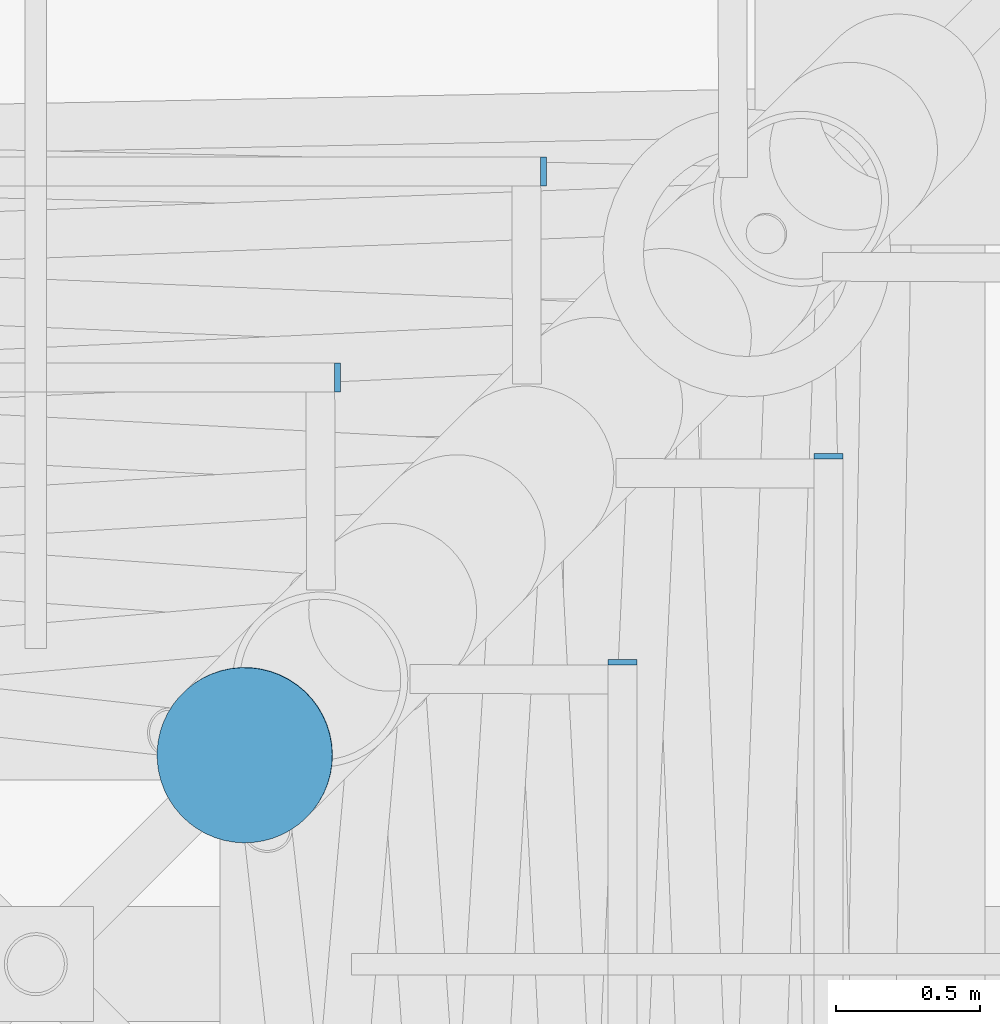
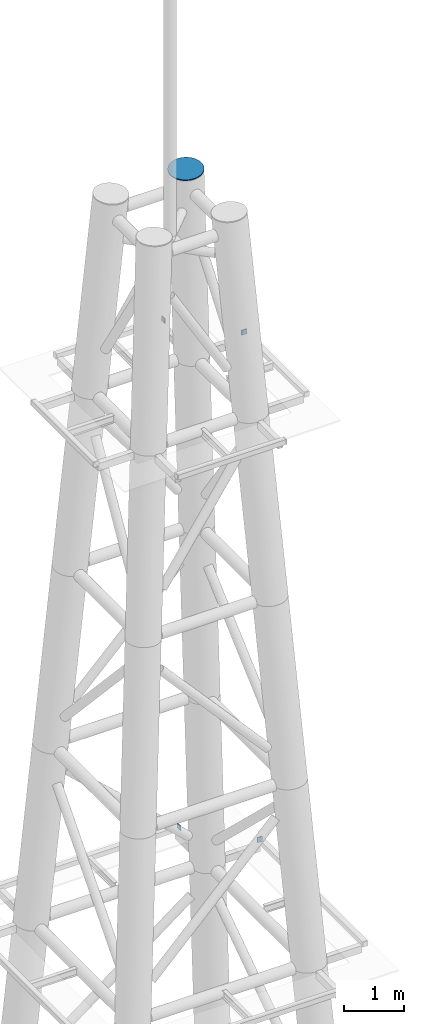
# One storey, part 23 of 36: 5 discrete accessories.
"""IFC4 building model written with IfcOpenShell, lengths in metres."""

from ifc_helpers import new_model, si_unit, direction, frame, origin, origin_2d, place, context, subcontext, project, spatial, rectangle, circle, extrude, material, material_profile, profile_set, type_object, element, save


model = new_model("IFC4")

# Units and contexts
model_context = context("Model", 3, precision=1e-05, world=origin(), true_north=direction((0.0, 1.0)))
body_context = subcontext(model_context, "Body", "Model", "MODEL_VIEW")
ifc_project = project(units=[si_unit("LENGTHUNIT", "METRE"), si_unit("AREAUNIT", "SQUARE_METRE"), si_unit("VOLUMEUNIT", "CUBIC_METRE"), si_unit("PLANEANGLEUNIT", "RADIAN"), si_unit("MASSUNIT", "GRAM", prefix="KILO")], contexts=[model_context])

# Site, building, storey
site_placement = place(None, origin())
site = spatial("IfcSite", under=ifc_project, at=site_placement, CompositionType="ELEMENT")
building_placement = place(site_placement, origin())
building = spatial("IfcBuilding", under=site, at=building_placement, Name="Ipe Terrace Towers", CompositionType="ELEMENT")
storey_placement = place(building_placement, frame((0.0, 0.0, 264.89990234375)))
storey = spatial("IfcBuildingStorey", under=building, at=storey_placement, Name="Roof", CompositionType="ELEMENT", Elevation=264.89990234375)

# Discrete accessories
ifc_material_1 = material(Name="Steel S355", Category="steel")
ifc_material_profile_1 = material_profile(ifc_material_1, rectangle(XDim=0.10009765625, YDim=0.10009765625, at=origin_2d()), Name="MAST END PLATE 100 x 100 x 20")
ifc_profile_set_1 = profile_set([ifc_material_profile_1], Name="Steel S355")
discrete_accessory_type_1 = type_object("IfcDiscreteAccessoryType", Name="MAST END PLATE 100 x 100 x 20", PredefinedType="BRACKET", material=ifc_profile_set_1)
for number, where, z_axis, x_axis, name in (
    (1, (-34.2451171875, 2.7548828125, 21.31005859375), (1.0, 0.0, 0.0), (0.0, 1.0, 0.0), "mast end plate"),
    (2, (-33.2451171875, 1.7548828125, 21.31005859375), (0.0, 1.0, 0.0), (-1.0, 0.0, 0.0), "mast end plate"),
    (3, (-34.9609375, 2.0390625, 32.3720703125), (1.0, 0.0, 0.0), (0.0, 1.0, 0.0), "mast end plate"),
    (4, (-33.9609375, 1.0390625, 32.3720703125), (0.0, 1.0, 0.0), (-1.0, 0.0, 0.0), "mast end plate"),
):
    element("IfcDiscreteAccessory", number, at=place(storey_placement, frame(where, z_axis=z_axis, x_axis=x_axis)), inside=storey, type_object=discrete_accessory_type_1, Name=name, PredefinedType="BRACKET", context=body_context, shape_type="SweptSolid", body=[
        extrude(rectangle(XDim=0.10009765625, YDim=0.10009765625, at=origin_2d()), origin(), (0.0, 0.0, 1.0), 0.02001953125),
    ])
ifc_material_2 = material(Name="Steel S355", Category="steel")
ifc_material_profile_2 = material_profile(ifc_material_2, circle(Radius=0.304931640625, at=origin_2d()), Name="MAST END PLATE 610 DIA x 20")
ifc_profile_set_2 = profile_set([ifc_material_profile_2], Name="Steel S355")
discrete_accessory_type_2 = type_object("IfcDiscreteAccessoryType", Name="MAST END PLATE 610 DIA x 20", PredefinedType="BRACKET", material=ifc_profile_set_2)
discrete_accessory_placement = place(storey_placement, frame((-35.27294921875, 0.72705078125, 36.35009765625), z_axis=(-0.048664825549, -0.048664825549, 0.997628923753), x_axis=(0.707106781187, -0.707106781187, 0.0)))
element("IfcDiscreteAccessory", 5, at=discrete_accessory_placement, inside=storey, type_object=discrete_accessory_type_2, Name="mast end plate", PredefinedType="BRACKET", context=body_context, shape_type="SweptSolid", body=[
    extrude(circle(Radius=0.304931640625, at=origin_2d()), origin(), (0.0, 0.0, 1.0), 0.02001953125),
])

save(model, "model.ifc")
